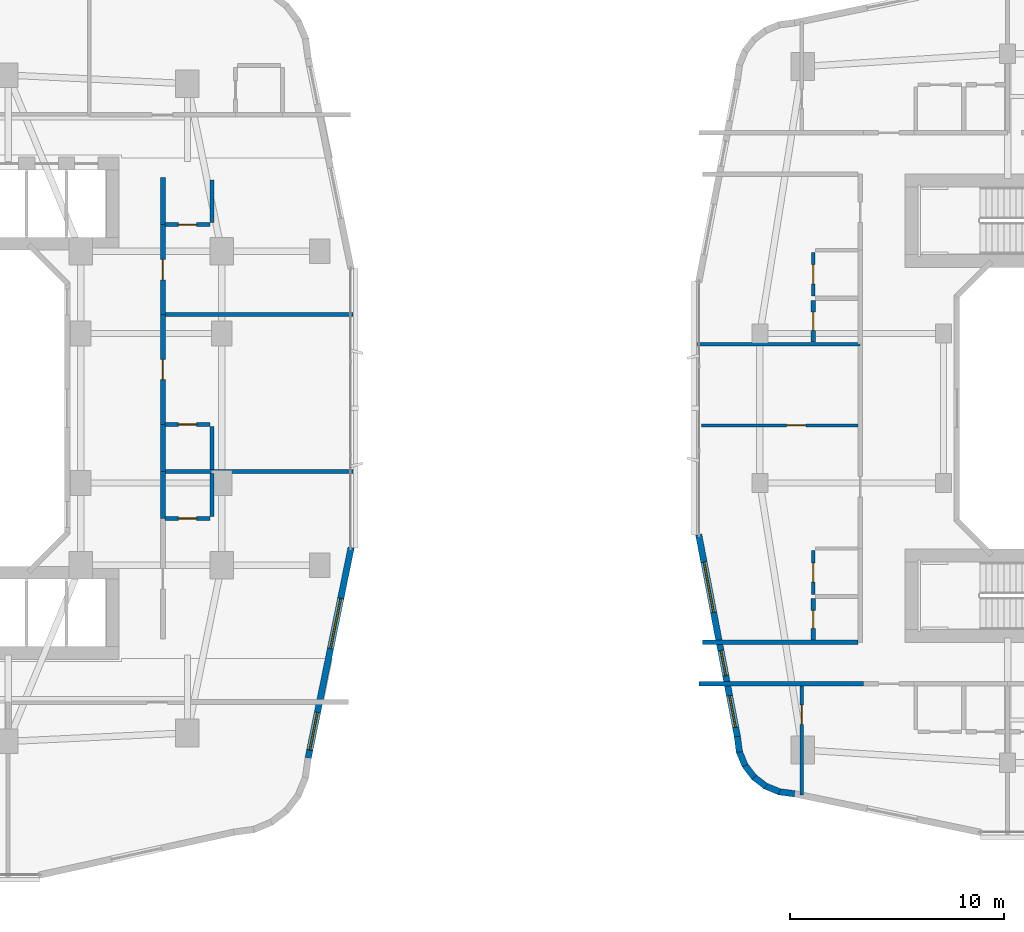
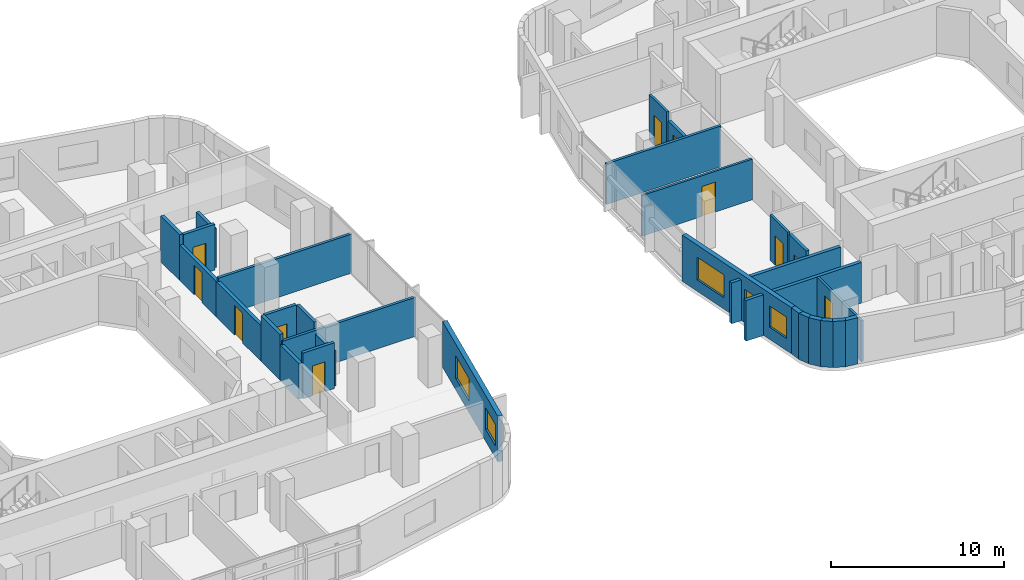
# One storey, part 15 of 26: 30 walls, 11 doors, 5 windows, 16 openings.
"""IFC4 building model written with IfcOpenShell, lengths in metres."""

from ifc_helpers import new_model, si_unit, derived_unit, direction, frame, frame_2d, origin, place, context, subcontext, project, spatial, rectangle, extrude, material, layer, layer_set, type_object, element, fill, save


model = new_model("IFC4")

# Units and contexts
model_context = context("Model", 3, precision=1e-05, world=origin(), true_north=direction((0.0, 1.0)))
body_context = subcontext(model_context, "Body", "Model", "MODEL_VIEW")
ifc_project = project(units=[si_unit("LENGTHUNIT", "METRE"), si_unit("AREAUNIT", "SQUARE_METRE"), si_unit("VOLUMEUNIT", "CUBIC_METRE"), si_unit("PLANEANGLEUNIT", "RADIAN"), si_unit("MASSUNIT", "GRAM", prefix="KILO"), derived_unit("THERMALTRANSMITTANCEUNIT", [(si_unit("POWERUNIT", "WATT"), 1), (si_unit("LENGTHUNIT", "METRE"), -2), (si_unit("THERMODYNAMICTEMPERATUREUNIT", "KELVIN"), -1)])], contexts=[model_context])

# Site, building, storey
site_placement = place(None, origin())
site = spatial("IfcSite", under=ifc_project, at=site_placement, CompositionType="ELEMENT")
building_placement = place(site_placement, origin())
building = spatial("IfcBuilding", under=site, at=building_placement, Name="Kivonza Crest Hotel", CompositionType="ELEMENT")
storey_placement = place(building_placement, frame((0.0, 0.0, 55.5)))
storey = spatial("IfcBuildingStorey", under=building, at=storey_placement, Name="L14", CompositionType="ELEMENT", Elevation=55.5)

# Walls
ifc_material_1 = material(Name="High-density acoustic masonry inter-tenancy wall", Category="masonry")
ifc_layer_1 = layer(ifc_material_1, 0.179931640625)
ifc_layer_set_1 = layer_set([ifc_layer_1], Name="High-density acoustic masonry inter-tenancy wall")
wall_type_1 = type_object("IfcWallType", Name="WL-ACOU-180", PredefinedType="SOLIDWALL", material=ifc_layer_set_1)
for number, where, z_axis, x_axis, name in (
    (1, (33.050048828125, 22.0390625, 0.0), (0.0, 0.0, 1.0), (1.0, 0.0, 0.0), "L14 interior partition WA-L14-T1E-DIV1"),
    (2, (33.050048828125, 29.383056640625, 0.0), (0.0, 0.0, 1.0), (1.0, 0.0, 0.0), "L14 interior partition WA-L14-T1E-DIV2"),
):
    element("IfcWall", number, at=place(storey_placement, frame(where, z_axis=z_axis, x_axis=x_axis)), inside=storey, type_object=wall_type_1, Name=name, PredefinedType="SOLIDWALL", context=body_context, shape_type="SweptSolid", body=[
        extrude(rectangle(XDim=8.889892578125, YDim=0.179931640625, at=frame_2d((4.44482421875, 0.0))), origin(), (0.0, 0.0, 1.0), 2.7451171875),
    ])
wall_1_placement = place(storey_placement, frame((58.06005859375, 28.0, 0.0), z_axis=(0.0, 0.0, 1.0), x_axis=(1.0, 0.0, 0.0)))
element("IfcWall", 3, at=wall_1_placement, inside=storey, type_object=wall_type_1, Name="L14 interior partition WA-L14-T2W-DIV1", PredefinedType="SOLIDWALL", context=body_context, shape_type="SweptSolid", body=[
    extrude(rectangle(XDim=7.639892578125, YDim=0.179931640625, at=frame_2d((3.81982421875, 0.0))), origin(), (0.0, 0.0, 1.0), 2.864990234375),
])
ifc_material_2 = material(Name="Autoclaved aerated concrete blockwork", Category="masonry")
ifc_layer_2 = layer(ifc_material_2, 0.219970703125)
ifc_layer_set_2 = layer_set([ifc_layer_2], Name="Autoclaved aerated concrete blockwork")
wall_type_2 = type_object("IfcWallType", Name="WL-ACOU-220", PredefinedType="SOLIDWALL", material=ifc_layer_set_2)
wall_2_placement = place(storey_placement, frame((33.050048828125, 19.839111328125, 0.0), z_axis=(0.0, 0.0, 1.0), x_axis=(0.0, 1.0, 0.0)))
element("IfcWall", 4, at=wall_2_placement, inside=storey, type_object=wall_type_2, Name="L14 interior partition WA-L14-E06-BCORR", PredefinedType="SOLIDWALL", context=body_context, shape_type="SweptSolid", body=[
    extrude(rectangle(XDim=2.199951171875, YDim=0.219970703125, at=frame_2d((1.10009765625, 0.0))), origin(), (0.0, 0.0, 1.0), 2.4951171875),
])
wall_3_placement = place(storey_placement, frame((33.050048828125, 22.0390625, 0.0), z_axis=(0.0, 0.0, 1.0), x_axis=(0.0, 1.0, 0.0)))
element("IfcWall", 5, at=wall_3_placement, inside=storey, type_object=wall_type_2, Name="L14 interior partition WA-L14-E07-BCORR", PredefinedType="SOLIDWALL", context=body_context, shape_type="SweptSolid", body=[
    extrude(rectangle(XDim=2.199951171875, YDim=0.219970703125, at=frame_2d((1.10009765625, 0.0))), origin(), (0.0, 0.0, 1.0), 3.219970703125),
])

# Wall, opening, door
wall_4_placement = place(storey_placement, frame((33.050048828125, 24.239013671875, 0.0), z_axis=(0.0, 0.0, 1.0), x_axis=(0.0, 1.0, 0.0)))
wall_4 = element("IfcWall", 6, at=wall_4_placement, inside=storey, type_object=wall_type_2, Name="L14 interior partition WA-L14-E07-MCORR", PredefinedType="SOLIDWALL", context=body_context, shape_type="SweptSolid", body=[
    extrude(rectangle(XDim=5.14404296875, YDim=0.219970703125, at=frame_2d((2.572021484375, 0.0))), origin(), (0.0, 0.0, 1.0), 2.4951171875),
])
opening_1_placement = place(wall_4_placement, frame((2.096923828125, 0.0, 0.0)))
opening_1 = element("IfcOpeningElement", 7, at=opening_1_placement, cuts=wall_4, Name="Opening DU-60", PredefinedType="OPENING", context=body_context, shape_type="SweptSolid", body=[
    extrude(rectangle(XDim=0.949951171875, YDim=2.10009765625, at=frame_2d((0.47509765625, 1.050048828125))), frame((0.0, 0.1201171875, 0.0), z_axis=(0.0, -1.0, 0.0), x_axis=(1.0, 0.0, 0.0)), (0.0, 0.0, 1.0), 0.239990234375),
])
ifc_material_3 = material(Name="Hardwood timber oak", Category="wood")
door_type_1 = type_object("IfcDoorType", Name="DR-UNIT-950", OperationType="NOTDEFINED", PredefinedType="DOOR", material=ifc_material_3)
door_1_placement = place(opening_1_placement, frame((0.949951171875, 0.0, 0.0), z_axis=(0.0, 0.0, 1.0), x_axis=(-1.0, 0.0, 0.0)))
door_1 = element("IfcDoor", 8, at=door_1_placement, inside=storey, type_object=door_type_1, Name="L14 E07 guest unit entrance fire door", OperationType="SINGLE_SWING_LEFT", OverallHeight=2.10009765625, OverallWidth=0.949951171875, PredefinedType="DOOR", context=body_context, shape_type="SweptSolid", body=[
    extrude(rectangle(XDim=0.949951171875, YDim=2.10009765625, at=frame_2d((0.47509765625, 1.050048828125))), frame((0.0, 0.02490234375, 0.0), z_axis=(0.0, -1.0, 0.0), x_axis=(1.0, 0.0, 0.0)), (0.0, 0.0, 1.0), 0.050048828125),
])
fill(opening_1, door_1)

# Wall
wall_5_placement = place(storey_placement, frame((33.050048828125, 33.60009765625, 0.0), z_axis=(0.0, 0.0, 1.0), x_axis=(0.0, 1.0, 0.0)))
element("IfcWall", 9, at=wall_5_placement, inside=storey, type_object=wall_type_2, Name="L14 interior partition WA-L14-E08-BCORR", PredefinedType="SOLIDWALL", context=body_context, shape_type="SweptSolid", body=[
    extrude(rectangle(XDim=2.199951171875, YDim=0.219970703125, at=frame_2d((1.10009765625, 0.0))), origin(), (0.0, 0.0, 1.0), 3.219970703125),
])

# Wall, opening, door
wall_6_placement = place(storey_placement, frame((33.050048828125, 29.383056640625, 0.0), z_axis=(0.0, 0.0, 1.0), x_axis=(0.0, 1.0, 0.0)))
wall_6 = element("IfcWall", 10, at=wall_6_placement, inside=storey, type_object=wall_type_2, Name="L14 interior partition WA-L14-E08-MCORR", PredefinedType="SOLIDWALL", context=body_context, shape_type="SweptSolid", body=[
    extrude(rectangle(XDim=4.217041015625, YDim=0.219970703125, at=frame_2d((2.1083984375, 0.0))), origin(), (0.0, 0.0, 1.0), 2.4951171875),
])
opening_2_placement = place(wall_6_placement, frame((1.634033203125, 0.0, 0.0)))
opening_2 = element("IfcOpeningElement", 11, at=opening_2_placement, cuts=wall_6, Name="Opening DU-60", PredefinedType="OPENING", context=body_context, shape_type="SweptSolid", body=[
    extrude(rectangle(XDim=0.949951171875, YDim=2.10009765625, at=frame_2d((0.47509765625, 1.050048828125))), frame((0.0, 0.1201171875, 0.0), z_axis=(0.0, -1.0, 0.0), x_axis=(1.0, 0.0, 0.0)), (0.0, 0.0, 1.0), 0.239990234375),
])
door_2_placement = place(opening_2_placement, frame((0.949951171875, 0.0, 0.0), z_axis=(0.0, 0.0, 1.0), x_axis=(-1.0, 0.0, 0.0)))
door_2 = element("IfcDoor", 12, at=door_2_placement, inside=storey, type_object=door_type_1, Name="L14 E08 guest unit entrance fire door", OperationType="SINGLE_SWING_RIGHT", OverallHeight=2.10009765625, OverallWidth=0.949951171875, PredefinedType="DOOR", context=body_context, shape_type="SweptSolid", body=[
    extrude(rectangle(XDim=0.949951171875, YDim=2.10009765625, at=frame_2d((0.47509765625, 1.050048828125))), frame((0.0, 0.02490234375, 0.0), z_axis=(0.0, -1.0, 0.0), x_axis=(1.0, 0.0, 0.0)), (0.0, 0.0, 1.0), 0.050048828125),
])
fill(opening_2, door_2)

# Walls
wall_7_placement = place(storey_placement, frame((58.159912109375, 12.10009765625, 0.0), z_axis=(0.0, 0.0, 1.0), x_axis=(1.0, 0.0, 0.0)))
element("IfcWall", 13, at=wall_7_placement, inside=storey, type_object=wall_type_2, Name="L14 interior partition WA-L14-A03-LCORR", PredefinedType="SOLIDWALL", context=body_context, shape_type="SweptSolid", body=[
    extrude(rectangle(XDim=7.690185546875, YDim=0.219970703125, at=frame_2d((3.84521484375, 0.0))), origin(), (0.0, 0.0, 1.0), 2.864990234375),
])
wall_8_placement = place(storey_placement, frame((58.320068359375, 14.0400390625, 0.0), z_axis=(0.0, 0.0, 1.0), x_axis=(1.0, 0.0, 0.0)))
element("IfcWall", 14, at=wall_8_placement, inside=storey, type_object=wall_type_2, Name="L14 interior partition WA-L14-T2W-ENDS", PredefinedType="SOLIDWALL", context=body_context, shape_type="SweptSolid", body=[
    extrude(rectangle(XDim=7.280029296875, YDim=0.219970703125, at=frame_2d((3.64013671875, 0.0))), origin(), (0.0, 0.0, 1.0), 2.864990234375),
])

# Wall, openings, windows
ifc_material_4 = material(Name="Precast concrete C40/50", Category="concrete")
ifc_layer_3 = layer(ifc_material_4, 0.300048828125)
ifc_layer_set_3 = layer_set([ifc_layer_3], Name="Precast concrete C40/50")
wall_type_3 = type_object("IfcWallType", Name="WL-EXT-300", PredefinedType="STANDARD", material=ifc_layer_set_3)
wall_9_placement = place(storey_placement, frame((39.85107421875, 8.6220703125, 0.0), z_axis=(0.0, 0.0, 1.0), x_axis=(0.199990901713, 0.979797754249, 0.0)))
wall_9 = element("IfcWall", 15, at=wall_9_placement, inside=storey, type_object=wall_type_3, Name="L14 T1 exterior insulated wall 16", PredefinedType="STANDARD", context=body_context, shape_type="SweptSolid", body=[
    extrude(rectangle(XDim=10.065185546875, YDim=0.300048828125, at=frame_2d((5.03271484375, 0.0))), origin(), (0.0, 0.0, 1.0), 3.219970703125),
])
opening_3_placement = place(wall_9_placement, frame((0.3779296875, 0.0, 0.85009765625)))
opening_3 = element("IfcOpeningElement", 16, at=opening_3_placement, cuts=wall_9, Name="Opening WN-03", PredefinedType="OPENING", context=body_context, shape_type="SweptSolid", body=[
    extrude(rectangle(XDim=1.800048828125, YDim=1.5, at=frame_2d((0.89990234375, 0.75))), frame((0.0, 0.16015625, 0.0), z_axis=(0.0, -1.0, 0.0), x_axis=(1.0, 0.0, 0.0)), (0.0, 0.0, 1.0), 0.320068359375),
])
opening_4_placement = place(wall_9_placement, frame((5.236083984375, 0.0, 0.800048828125)))
opening_4 = element("IfcOpeningElement", 17, at=opening_4_placement, cuts=wall_9, Name="Opening WN-05", PredefinedType="OPENING", context=body_context, shape_type="SweptSolid", body=[
    extrude(rectangle(XDim=2.39990234375, YDim=1.60009765625, at=frame_2d((1.199951171875, 0.800048828125))), frame((0.0, 0.16015625, 0.0), z_axis=(0.0, -1.0, 0.0), x_axis=(1.0, 0.0, 0.0)), (0.0, 0.0, 1.0), 0.320068359375),
])
ifc_material_5 = material(Name="Thermally broken bronze aluminium and low-E double glazing", Category="aluminium")
window_type_1 = type_object("IfcWindowType", Name="WN-180x150", PartitioningType="DOUBLE_PANEL_VERTICAL", PredefinedType="WINDOW", material=ifc_material_5)
window_1_placement = place(opening_3_placement, origin())
window_1 = element("IfcWindow", 18, at=window_1_placement, inside=storey, type_object=window_type_1, Name="L14 T1 facade window 16 bay 1", OverallHeight=1.5, OverallWidth=1.800048828125, PartitioningType="SINGLE_PANEL", PredefinedType="WINDOW", context=body_context, shape_type="SweptSolid", body=[
    extrude(rectangle(XDim=1.800048828125, YDim=1.5, at=frame_2d((0.89990234375, 0.75))), frame((0.0, 0.030029296875, 0.0), z_axis=(0.0, -1.0, 0.0), x_axis=(1.0, 0.0, 0.0)), (0.0, 0.0, 1.0), 0.06005859375),
])
fill(opening_3, window_1)
window_type_2 = type_object("IfcWindowType", Name="WN-240x160", PartitioningType="TRIPLE_PANEL_VERTICAL", PredefinedType="WINDOW", material=ifc_material_5)
window_2_placement = place(opening_4_placement, origin())
window_2 = element("IfcWindow", 19, at=window_2_placement, inside=storey, type_object=window_type_2, Name="L14 T1 facade window 16 bay 2", OverallHeight=1.60009765625, OverallWidth=2.39990234375, PartitioningType="SINGLE_PANEL", PredefinedType="WINDOW", context=body_context, shape_type="SweptSolid", body=[
    extrude(rectangle(XDim=2.39990234375, YDim=1.60009765625, at=frame_2d((1.199951171875, 0.800048828125))), frame((0.0, 0.030029296875, 0.0), z_axis=(0.0, -1.0, 0.0), x_axis=(1.0, 0.0, 0.0)), (0.0, 0.0, 1.0), 0.06005859375),
])
fill(opening_4, window_2)

# Walls
wall_10_placement = place(storey_placement, frame((59.947998046875, 9.626953125, 0.0), z_axis=(0.0, 0.0, 1.0), x_axis=(0.130255288807, -0.991480488834, 0.0)))
element("IfcWall", 20, at=wall_10_placement, inside=storey, type_object=wall_type_3, Name="L14 T2 exterior insulated wall 1", PredefinedType="STANDARD", context=body_context, shape_type="SweptSolid", body=[
    extrude(rectangle(XDim=0.72900390625, YDim=0.300048828125, at=frame_2d((0.364501953125, 0.0))), origin(), (0.0, 0.0, 1.0), 3.25),
])
for number, where, z_axis, x_axis, name in (
    (21, (60.02392578125, 8.955078125, 0.0), (0.0, 0.0, 1.0), (0.383546213491, -0.923521684703, 0.0), "L14 T2 exterior insulated wall 2"),
    (22, (60.279052734375, 8.31103515625, 0.0), (0.0, 0.0, 1.0), (0.608397189915, -0.79363269798, 0.0), "L14 T2 exterior insulated wall 3"),
    (23, (60.69091796875, 7.75390625, 0.0), (0.0, 0.0, 1.0), (0.79363269798, -0.608397189915, 0.0), "L14 T2 exterior insulated wall 4"),
    (24, (61.23388671875, 7.323974609375, 0.0), (0.0, 0.0, 1.0), (0.923685632463, -0.383151213466, 0.0), "L14 T2 exterior insulated wall 5"),
):
    element("IfcWall", number, at=place(storey_placement, frame(where, z_axis=z_axis, x_axis=x_axis)), inside=storey, type_object=wall_type_3, Name=name, PredefinedType="STANDARD", context=body_context, shape_type="SweptSolid", body=[
        extrude(rectangle(XDim=0.74609375, YDim=0.300048828125, at=frame_2d((0.373046875, 0.0))), origin(), (0.0, 0.0, 1.0), 3.25),
    ])
wall_11_placement = place(storey_placement, frame((61.868896484375, 7.047119140625, 0.0), z_axis=(0.0, 0.0, 1.0), x_axis=(0.991559404866, -0.129653178221, 0.0)))
element("IfcWall", 25, at=wall_11_placement, inside=storey, type_object=wall_type_3, Name="L14 T2 exterior insulated wall 6", PredefinedType="STANDARD", context=body_context, shape_type="SweptSolid", body=[
    extrude(rectangle(XDim=0.764404296875, YDim=0.300048828125, at=frame_2d((0.38232421875, 0.0))), origin(), (0.0, 0.0, 1.0), 3.25),
])

# Wall, openings, windows
wall_12_placement = place(storey_placement, frame((58.136962890625, 19.08203125, 0.0), z_axis=(0.0, 0.0, 1.0), x_axis=(0.188087874316, -0.982152203854, 0.0)))
wall_12 = element("IfcWall", 26, at=wall_12_placement, inside=storey, type_object=wall_type_3, Name="L14 T2 exterior insulated wall 36", PredefinedType="STANDARD", context=body_context, shape_type="SweptSolid", body=[
    extrude(rectangle(XDim=9.6337890625, YDim=0.300048828125, at=frame_2d((4.81689453125, 0.0))), origin(), (0.0, 0.0, 1.0), 3.25),
])
opening_5_placement = place(wall_12_placement, frame((1.305908203125, 0.0, 0.800048828125)))
opening_5 = element("IfcOpeningElement", 27, at=opening_5_placement, cuts=wall_12, Name="Opening WN-05", PredefinedType="OPENING", context=body_context, shape_type="SweptSolid", body=[
    extrude(rectangle(XDim=2.39990234375, YDim=1.60009765625, at=frame_2d((1.199951171875, 0.800048828125))), frame((0.0, 0.16015625, 0.0), z_axis=(0.0, -1.0, 0.0), x_axis=(1.0, 0.0, 0.0)), (0.0, 0.0, 1.0), 0.320068359375),
])
opening_6_placement = place(wall_12_placement, frame((5.52099609375, 0.0, 0.85009765625)))
opening_6 = element("IfcOpeningElement", 28, at=opening_6_placement, cuts=wall_12, Name="Opening WN-01", PredefinedType="OPENING", context=body_context, shape_type="SweptSolid", body=[
    extrude(rectangle(XDim=1.199951171875, YDim=1.5, at=frame_2d((0.60009765625, 0.75))), frame((0.0, 0.16015625, 0.0), z_axis=(0.0, -1.0, 0.0), x_axis=(1.0, 0.0, 0.0)), (0.0, 0.0, 1.0), 0.320068359375),
])
opening_7_placement = place(wall_12_placement, frame((7.681884765625, 0.0, 0.85009765625)))
opening_7 = element("IfcOpeningElement", 29, at=opening_7_placement, cuts=wall_12, Name="Opening WN-02", PredefinedType="OPENING", context=body_context, shape_type="SweptSolid", body=[
    extrude(rectangle(XDim=1.5, YDim=1.5, at=frame_2d((0.75, 0.75))), frame((0.0, 0.16015625, 0.0), z_axis=(0.0, -1.0, 0.0), x_axis=(1.0, 0.0, 0.0)), (0.0, 0.0, 1.0), 0.320068359375),
])
window_type_3 = type_object("IfcWindowType", Name="WN-120x150", PartitioningType="SINGLE_PANEL", PredefinedType="WINDOW", material=ifc_material_5)
window_3_placement = place(opening_6_placement, origin())
window_3 = element("IfcWindow", 30, at=window_3_placement, inside=storey, type_object=window_type_3, Name="L14 T2 facade window 36 bay 2", OverallHeight=1.5, OverallWidth=1.199951171875, PartitioningType="SINGLE_PANEL", PredefinedType="WINDOW", context=body_context, shape_type="SweptSolid", body=[
    extrude(rectangle(XDim=1.199951171875, YDim=1.5, at=frame_2d((0.60009765625, 0.75))), frame((0.0, 0.030029296875, 0.0), z_axis=(0.0, -1.0, 0.0), x_axis=(1.0, 0.0, 0.0)), (0.0, 0.0, 1.0), 0.06005859375),
])
fill(opening_6, window_3)
window_type_4 = type_object("IfcWindowType", Name="WN-150x150", PartitioningType="DOUBLE_PANEL_VERTICAL", PredefinedType="WINDOW", material=ifc_material_5)
window_4_placement = place(opening_7_placement, origin())
window_4 = element("IfcWindow", 31, at=window_4_placement, inside=storey, type_object=window_type_4, Name="L14 T2 facade window 36 bay 3", OverallHeight=1.5, OverallWidth=1.5, PartitioningType="SINGLE_PANEL", PredefinedType="WINDOW", context=body_context, shape_type="SweptSolid", body=[
    extrude(rectangle(XDim=1.5, YDim=1.5, at=frame_2d((0.75, 0.75))), frame((0.0, 0.030029296875, 0.0), z_axis=(0.0, -1.0, 0.0), x_axis=(1.0, 0.0, 0.0)), (0.0, 0.0, 1.0), 0.06005859375),
])
fill(opening_7, window_4)
window_5_placement = place(opening_5_placement, origin())
window_5 = element("IfcWindow", 32, at=window_5_placement, inside=storey, type_object=window_type_2, Name="L14 T2 facade window 36 bay 1", OverallHeight=1.60009765625, OverallWidth=2.39990234375, PartitioningType="SINGLE_PANEL", PredefinedType="WINDOW", context=body_context, shape_type="SweptSolid", body=[
    extrude(rectangle(XDim=2.39990234375, YDim=1.60009765625, at=frame_2d((1.199951171875, 0.800048828125))), frame((0.0, 0.030029296875, 0.0), z_axis=(0.0, -1.0, 0.0), x_axis=(1.0, 0.0, 0.0)), (0.0, 0.0, 1.0), 0.06005859375),
])
fill(opening_5, window_5)

# Wall, opening, door
ifc_material_6 = material(Name="Twin-stud acoustic gypsum board partition", Category="gypsum")
ifc_layer_4 = layer(ifc_material_6, 0.14990234375)
ifc_layer_set_4 = layer_set([ifc_layer_4], Name="Twin-stud acoustic gypsum board partition")
wall_type_4 = type_object("IfcWallType", Name="WL-PART-150", PredefinedType="PARTITIONING", material=ifc_layer_set_4)
wall_13_placement = place(storey_placement, frame((62.9599609375, 6.886962890625, 0.0), z_axis=(0.0, 0.0, 1.0), x_axis=(0.0, 1.0, 0.0)))
wall_13 = element("IfcWall", 33, at=wall_13_placement, inside=storey, type_object=wall_type_4, Name="L14 interior partition WP-L14-A03-BDW1", PredefinedType="PARTITIONING", context=body_context, shape_type="SweptSolid", body=[
    extrude(rectangle(XDim=5.113037109375, YDim=0.14990234375, at=frame_2d((2.556640625, 0.0))), origin(), (0.0, 0.0, 1.0), 2.864990234375),
])
opening_8_placement = place(wall_13_placement, frame((3.31005859375, 0.0, 0.0)))
opening_8 = element("IfcOpeningElement", 34, at=opening_8_placement, cuts=wall_13, Name="Opening DI-90", PredefinedType="OPENING", context=body_context, shape_type="SweptSolid", body=[
    extrude(rectangle(XDim=0.89990234375, YDim=2.10009765625, at=frame_2d((0.449951171875, 1.050048828125))), frame((0.0, 0.0849609375, 0.0), z_axis=(0.0, -1.0, 0.0), x_axis=(1.0, 0.0, 0.0)), (0.0, 0.0, 1.0), 0.169921875),
])
door_type_2 = type_object("IfcDoorType", Name="DR-INT-900", OperationType="NOTDEFINED", PredefinedType="DOOR", material=ifc_material_3)
door_3_placement = place(opening_8_placement, origin())
door_3 = element("IfcDoor", 35, at=door_3_placement, inside=storey, type_object=door_type_2, Name="L14 A03 bedroom 1 door", OperationType="SINGLE_SWING_RIGHT", OverallHeight=2.10009765625, OverallWidth=0.89990234375, PredefinedType="DOOR", context=body_context, shape_type="SweptSolid", body=[
    extrude(rectangle(XDim=0.89990234375, YDim=2.10009765625, at=frame_2d((0.449951171875, 1.050048828125))), frame((0.0, 0.02490234375, 0.0), z_axis=(0.0, -1.0, 0.0), x_axis=(1.0, 0.0, 0.0)), (0.0, 0.0, 1.0), 0.050048828125),
])
fill(opening_8, door_3)

wall_14_placement = place(storey_placement, frame((58.260009765625, 24.199951171875, 0.0), z_axis=(0.0, 0.0, 1.0), x_axis=(1.0, 0.0, 0.0)))
wall_14 = element("IfcWall", 36, at=wall_14_placement, inside=storey, type_object=wall_type_4, Name="L14 interior partition WP-L14-A06-BD1", PredefinedType="PARTITIONING", context=body_context, shape_type="SweptSolid", body=[
    extrude(rectangle(XDim=7.340087890625, YDim=0.14990234375, at=frame_2d((3.669921875, 0.0))), origin(), (0.0, 0.0, 1.0), 2.864990234375),
])
opening_9_placement = place(wall_14_placement, frame((3.989990234375, 0.0, 0.0)))
opening_9 = element("IfcOpeningElement", 37, at=opening_9_placement, cuts=wall_14, Name="Opening DI-90", PredefinedType="OPENING", context=body_context, shape_type="SweptSolid", body=[
    extrude(rectangle(XDim=0.89990234375, YDim=2.10009765625, at=frame_2d((0.449951171875, 1.050048828125))), frame((0.0, 0.0849609375, 0.0), z_axis=(0.0, -1.0, 0.0), x_axis=(1.0, 0.0, 0.0)), (0.0, 0.0, 1.0), 0.169921875),
])
door_4_placement = place(opening_9_placement, origin())
door_4 = element("IfcDoor", 38, at=door_4_placement, inside=storey, type_object=door_type_2, Name="L14 A06 bedroom door", OperationType="SINGLE_SWING_LEFT", OverallHeight=2.10009765625, OverallWidth=0.89990234375, PredefinedType="DOOR", context=body_context, shape_type="SweptSolid", body=[
    extrude(rectangle(XDim=0.89990234375, YDim=2.10009765625, at=frame_2d((0.449951171875, 1.050048828125))), frame((0.0, 0.02490234375, 0.0), z_axis=(0.0, -1.0, 0.0), x_axis=(1.0, 0.0, 0.0)), (0.0, 0.0, 1.0), 0.050048828125),
])
fill(opening_9, door_4)

wall_15_placement = place(storey_placement, frame((63.5, 16.2900390625, 0.0), z_axis=(0.0, 0.0, 1.0), x_axis=(0.0, 1.0, 0.0)))
wall_15 = element("IfcWall", 39, at=wall_15_placement, inside=storey, type_object=wall_type_4, Name="L14 interior partition WP-L14-A06-KSVC", PredefinedType="PARTITIONING", context=body_context, shape_type="SweptSolid", body=[
    extrude(rectangle(XDim=2.050048828125, YDim=0.14990234375, at=frame_2d((1.02490234375, 0.0))), origin(), (0.0, 0.0, 1.0), 3.219970703125),
])
opening_10_placement = place(wall_15_placement, frame((0.574951171875, 0.0, 0.0)))
opening_10 = element("IfcOpeningElement", 40, at=opening_10_placement, cuts=wall_15, Name="Opening DI-90", PredefinedType="OPENING", context=body_context, shape_type="SweptSolid", body=[
    extrude(rectangle(XDim=0.89990234375, YDim=2.10009765625, at=frame_2d((0.449951171875, 1.050048828125))), frame((0.0, 0.0849609375, 0.0), z_axis=(0.0, -1.0, 0.0), x_axis=(1.0, 0.0, 0.0)), (0.0, 0.0, 1.0), 0.169921875),
])
door_5_placement = place(opening_10_placement, origin())
door_5 = element("IfcDoor", 41, at=door_5_placement, inside=storey, type_object=door_type_2, Name="L14 A06 apartment kitchen door", OperationType="SINGLE_SWING_RIGHT", OverallHeight=2.10009765625, OverallWidth=0.89990234375, PredefinedType="DOOR", context=body_context, shape_type="SweptSolid", body=[
    extrude(rectangle(XDim=0.89990234375, YDim=2.10009765625, at=frame_2d((0.449951171875, 1.050048828125))), frame((0.0, 0.02490234375, 0.0), z_axis=(0.0, -1.0, 0.0), x_axis=(1.0, 0.0, 0.0)), (0.0, 0.0, 1.0), 0.050048828125),
])
fill(opening_10, door_5)

wall_16_placement = place(storey_placement, frame((63.5, 30.25, 0.0), z_axis=(0.0, 0.0, 1.0), x_axis=(0.0, 1.0, 0.0)))
wall_16 = element("IfcWall", 42, at=wall_16_placement, inside=storey, type_object=wall_type_4, Name="L14 interior partition WP-L14-A07-KSVC", PredefinedType="PARTITIONING", context=body_context, shape_type="SweptSolid", body=[
    extrude(rectangle(XDim=2.050048828125, YDim=0.14990234375, at=frame_2d((1.02490234375, 0.0))), origin(), (0.0, 0.0, 1.0), 3.219970703125),
])
opening_11_placement = place(wall_16_placement, frame((0.574951171875, 0.0, 0.0)))
opening_11 = element("IfcOpeningElement", 43, at=opening_11_placement, cuts=wall_16, Name="Opening DI-90", PredefinedType="OPENING", context=body_context, shape_type="SweptSolid", body=[
    extrude(rectangle(XDim=0.89990234375, YDim=2.10009765625, at=frame_2d((0.449951171875, 1.050048828125))), frame((0.0, 0.0849609375, 0.0), z_axis=(0.0, -1.0, 0.0), x_axis=(1.0, 0.0, 0.0)), (0.0, 0.0, 1.0), 0.169921875),
])
door_6_placement = place(opening_11_placement, origin())
door_6 = element("IfcDoor", 44, at=door_6_placement, inside=storey, type_object=door_type_2, Name="L14 A07 apartment kitchen door", OperationType="SINGLE_SWING_LEFT", OverallHeight=2.10009765625, OverallWidth=0.89990234375, PredefinedType="DOOR", context=body_context, shape_type="SweptSolid", body=[
    extrude(rectangle(XDim=0.89990234375, YDim=2.10009765625, at=frame_2d((0.449951171875, 1.050048828125))), frame((0.0, 0.02490234375, 0.0), z_axis=(0.0, -1.0, 0.0), x_axis=(1.0, 0.0, 0.0)), (0.0, 0.0, 1.0), 0.050048828125),
])
fill(opening_11, door_6)

ifc_material_7 = material(Name="Moisture-resistant plumbing chase partition wall", Category="gypsum")
ifc_layer_5 = layer(ifc_material_7, 0.199951171875)
ifc_layer_set_5 = layer_set([ifc_layer_5], Name="Moisture-resistant plumbing chase partition wall")
wall_type_5 = type_object("IfcWallType", Name="WL-PLUMB-200", PredefinedType="PLUMBINGWALL", material=ifc_layer_set_5)
wall_17_placement = place(storey_placement, frame((33.14990234375, 19.839111328125, 0.0), z_axis=(0.0, 0.0, 1.0), x_axis=(1.0, 0.0, 0.0)))
wall_17 = element("IfcWall", 45, at=wall_17_placement, inside=storey, type_object=wall_type_5, Name="L14 interior partition WW-L14-E06-BH", PredefinedType="PLUMBINGWALL", context=body_context, shape_type="SweptSolid", body=[
    extrude(rectangle(XDim=2.10009765625, YDim=0.199951171875, at=frame_2d((1.050048828125, 0.0))), origin(), (0.0, 0.0, 1.0), 3.219970703125),
])
opening_12_placement = place(wall_17_placement, frame((0.625, 0.0, 0.0)))
opening_12 = element("IfcOpeningElement", 46, at=opening_12_placement, cuts=wall_17, Name="Opening DI-85", PredefinedType="OPENING", context=body_context, shape_type="SweptSolid", body=[
    extrude(rectangle(XDim=0.85009765625, YDim=2.10009765625, at=frame_2d((0.425048828125, 1.050048828125))), frame((0.0, 0.10986328125, 0.0), z_axis=(0.0, -1.0, 0.0), x_axis=(1.0, 0.0, 0.0)), (0.0, 0.0, 1.0), 0.219970703125),
])
door_type_3 = type_object("IfcDoorType", Name="DR-INT-850", OperationType="NOTDEFINED", PredefinedType="DOOR", material=ifc_material_3)
door_7_placement = place(opening_12_placement, frame((0.85009765625, 0.0, 0.0), z_axis=(0.0, 0.0, 1.0), x_axis=(-1.0, 0.0, 0.0)))
door_7 = element("IfcDoor", 47, at=door_7_placement, inside=storey, type_object=door_type_3, Name="L14 E06 en-suite bathroom door", OperationType="SINGLE_SWING_LEFT", OverallHeight=2.10009765625, OverallWidth=0.85009765625, PredefinedType="DOOR", context=body_context, shape_type="SweptSolid", body=[
    extrude(rectangle(XDim=0.85009765625, YDim=2.10009765625, at=frame_2d((0.425048828125, 1.050048828125))), frame((0.0, 0.02490234375, 0.0), z_axis=(0.0, -1.0, 0.0), x_axis=(1.0, 0.0, 0.0)), (0.0, 0.0, 1.0), 0.050048828125),
])
fill(opening_12, door_7)

# Wall
wall_18_placement = place(storey_placement, frame((35.35009765625, 19.93896484375, 0.0), z_axis=(0.0, 0.0, 1.0), x_axis=(0.0, 1.0, 0.0)))
element("IfcWall", 48, at=wall_18_placement, inside=storey, type_object=wall_type_5, Name="L14 interior partition WW-L14-E06-BV", PredefinedType="PLUMBINGWALL", context=body_context, shape_type="SweptSolid", body=[
    extrude(rectangle(XDim=2.0, YDim=0.199951171875, at=frame_2d((1.0, 0.0))), origin(), (0.0, 0.0, 1.0), 2.4951171875),
])

# Wall, opening, door
wall_19_placement = place(storey_placement, frame((33.14990234375, 24.239013671875, 0.0), z_axis=(0.0, 0.0, 1.0), x_axis=(1.0, 0.0, 0.0)))
wall_19 = element("IfcWall", 49, at=wall_19_placement, inside=storey, type_object=wall_type_5, Name="L14 interior partition WW-L14-E07-BH", PredefinedType="PLUMBINGWALL", context=body_context, shape_type="SweptSolid", body=[
    extrude(rectangle(XDim=2.10009765625, YDim=0.199951171875, at=frame_2d((1.050048828125, 0.0))), origin(), (0.0, 0.0, 1.0), 3.219970703125),
])
opening_13_placement = place(wall_19_placement, frame((0.625, 0.0, 0.0)))
opening_13 = element("IfcOpeningElement", 50, at=opening_13_placement, cuts=wall_19, Name="Opening DI-85", PredefinedType="OPENING", context=body_context, shape_type="SweptSolid", body=[
    extrude(rectangle(XDim=0.85009765625, YDim=2.10009765625, at=frame_2d((0.425048828125, 1.050048828125))), frame((0.0, 0.10986328125, 0.0), z_axis=(0.0, -1.0, 0.0), x_axis=(1.0, 0.0, 0.0)), (0.0, 0.0, 1.0), 0.219970703125),
])
door_8_placement = place(opening_13_placement, origin())
door_8 = element("IfcDoor", 51, at=door_8_placement, inside=storey, type_object=door_type_3, Name="L14 E07 en-suite bathroom door", OperationType="SINGLE_SWING_RIGHT", OverallHeight=2.10009765625, OverallWidth=0.85009765625, PredefinedType="DOOR", context=body_context, shape_type="SweptSolid", body=[
    extrude(rectangle(XDim=0.85009765625, YDim=2.10009765625, at=frame_2d((0.425048828125, 1.050048828125))), frame((0.0, 0.02490234375, 0.0), z_axis=(0.0, -1.0, 0.0), x_axis=(1.0, 0.0, 0.0)), (0.0, 0.0, 1.0), 0.050048828125),
])
fill(opening_13, door_8)

# Wall
wall_20_placement = place(storey_placement, frame((35.35009765625, 22.138916015625, 0.0), z_axis=(0.0, 0.0, 1.0), x_axis=(0.0, 1.0, 0.0)))
element("IfcWall", 52, at=wall_20_placement, inside=storey, type_object=wall_type_5, Name="L14 interior partition WW-L14-E07-BV", PredefinedType="PLUMBINGWALL", context=body_context, shape_type="SweptSolid", body=[
    extrude(rectangle(XDim=2.0, YDim=0.199951171875, at=frame_2d((1.0, 0.0))), origin(), (0.0, 0.0, 1.0), 3.219970703125),
])

# Wall, opening, door
wall_21_placement = place(storey_placement, frame((33.14990234375, 33.60009765625, 0.0), z_axis=(0.0, 0.0, 1.0), x_axis=(1.0, 0.0, 0.0)))
wall_21 = element("IfcWall", 53, at=wall_21_placement, inside=storey, type_object=wall_type_5, Name="L14 interior partition WW-L14-E08-BH", PredefinedType="PLUMBINGWALL", context=body_context, shape_type="SweptSolid", body=[
    extrude(rectangle(XDim=2.10009765625, YDim=0.199951171875, at=frame_2d((1.050048828125, 0.0))), origin(), (0.0, 0.0, 1.0), 3.219970703125),
])
opening_14_placement = place(wall_21_placement, frame((0.625, 0.0, 0.0)))
opening_14 = element("IfcOpeningElement", 54, at=opening_14_placement, cuts=wall_21, Name="Opening DI-85", PredefinedType="OPENING", context=body_context, shape_type="SweptSolid", body=[
    extrude(rectangle(XDim=0.85009765625, YDim=2.10009765625, at=frame_2d((0.425048828125, 1.050048828125))), frame((0.0, 0.10986328125, 0.0), z_axis=(0.0, -1.0, 0.0), x_axis=(1.0, 0.0, 0.0)), (0.0, 0.0, 1.0), 0.219970703125),
])
door_9_placement = place(opening_14_placement, frame((0.85009765625, 0.0, 0.0), z_axis=(0.0, 0.0, 1.0), x_axis=(-1.0, 0.0, 0.0)))
door_9 = element("IfcDoor", 55, at=door_9_placement, inside=storey, type_object=door_type_3, Name="L14 E08 en-suite bathroom door", OperationType="SINGLE_SWING_LEFT", OverallHeight=2.10009765625, OverallWidth=0.85009765625, PredefinedType="DOOR", context=body_context, shape_type="SweptSolid", body=[
    extrude(rectangle(XDim=0.85009765625, YDim=2.10009765625, at=frame_2d((0.425048828125, 1.050048828125))), frame((0.0, 0.02490234375, 0.0), z_axis=(0.0, -1.0, 0.0), x_axis=(1.0, 0.0, 0.0)), (0.0, 0.0, 1.0), 0.050048828125),
])
fill(opening_14, door_9)

# Wall
wall_22_placement = place(storey_placement, frame((35.35009765625, 33.699951171875, 0.0), z_axis=(0.0, 0.0, 1.0), x_axis=(0.0, 1.0, 0.0)))
element("IfcWall", 56, at=wall_22_placement, inside=storey, type_object=wall_type_5, Name="L14 interior partition WW-L14-E08-BV", PredefinedType="PLUMBINGWALL", context=body_context, shape_type="SweptSolid", body=[
    extrude(rectangle(XDim=2.0, YDim=0.199951171875, at=frame_2d((1.0, 0.0))), origin(), (0.0, 0.0, 1.0), 2.7451171875),
])

# Wall, opening, door
wall_23_placement = place(storey_placement, frame((63.5, 14.139892578125, 0.0), z_axis=(0.0, 0.0, 1.0), x_axis=(0.0, 1.0, 0.0)))
wall_23 = element("IfcWall", 57, at=wall_23_placement, inside=storey, type_object=wall_type_5, Name="L14 interior partition WW-L14-A06-BSVC", PredefinedType="PLUMBINGWALL", context=body_context, shape_type="SweptSolid", body=[
    extrude(rectangle(XDim=1.9501953125, YDim=0.199951171875, at=frame_2d((0.97509765625, 0.0))), origin(), (0.0, 0.0, 1.0), 3.219970703125),
])
opening_15_placement = place(wall_23_placement, frame((0.550048828125, 0.0, 0.0)))
opening_15 = element("IfcOpeningElement", 58, at=opening_15_placement, cuts=wall_23, Name="Opening DI-85", PredefinedType="OPENING", context=body_context, shape_type="SweptSolid", body=[
    extrude(rectangle(XDim=0.85009765625, YDim=2.10009765625, at=frame_2d((0.425048828125, 1.050048828125))), frame((0.0, 0.10986328125, 0.0), z_axis=(0.0, -1.0, 0.0), x_axis=(1.0, 0.0, 0.0)), (0.0, 0.0, 1.0), 0.219970703125),
])
door_10_placement = place(opening_15_placement, origin())
door_10 = element("IfcDoor", 59, at=door_10_placement, inside=storey, type_object=door_type_3, Name="L14 A06 apartment bathroom door", OperationType="SINGLE_SWING_LEFT", OverallHeight=2.10009765625, OverallWidth=0.85009765625, PredefinedType="DOOR", context=body_context, shape_type="SweptSolid", body=[
    extrude(rectangle(XDim=0.85009765625, YDim=2.10009765625, at=frame_2d((0.425048828125, 1.050048828125))), frame((0.0, 0.02490234375, 0.0), z_axis=(0.0, -1.0, 0.0), x_axis=(1.0, 0.0, 0.0)), (0.0, 0.0, 1.0), 0.050048828125),
])
fill(opening_15, door_10)

wall_24_placement = place(storey_placement, frame((63.5, 28.10009765625, 0.0), z_axis=(0.0, 0.0, 1.0), x_axis=(0.0, 1.0, 0.0)))
wall_24 = element("IfcWall", 60, at=wall_24_placement, inside=storey, type_object=wall_type_5, Name="L14 interior partition WW-L14-A07-BSVC", PredefinedType="PLUMBINGWALL", context=body_context, shape_type="SweptSolid", body=[
    extrude(rectangle(XDim=1.949951171875, YDim=0.199951171875, at=frame_2d((0.97509765625, 0.0))), origin(), (0.0, 0.0, 1.0), 2.72509765625),
])
opening_16_placement = place(wall_24_placement, frame((0.550048828125, 0.0, 0.0)))
opening_16 = element("IfcOpeningElement", 61, at=opening_16_placement, cuts=wall_24, Name="Opening DI-85", PredefinedType="OPENING", context=body_context, shape_type="SweptSolid", body=[
    extrude(rectangle(XDim=0.85009765625, YDim=2.10009765625, at=frame_2d((0.425048828125, 1.050048828125))), frame((0.0, 0.10986328125, 0.0), z_axis=(0.0, -1.0, 0.0), x_axis=(1.0, 0.0, 0.0)), (0.0, 0.0, 1.0), 0.219970703125),
])
door_11_placement = place(opening_16_placement, origin())
door_11 = element("IfcDoor", 62, at=door_11_placement, inside=storey, type_object=door_type_3, Name="L14 A07 apartment bathroom door", OperationType="SINGLE_SWING_RIGHT", OverallHeight=2.10009765625, OverallWidth=0.85009765625, PredefinedType="DOOR", context=body_context, shape_type="SweptSolid", body=[
    extrude(rectangle(XDim=0.85009765625, YDim=2.10009765625, at=frame_2d((0.425048828125, 1.050048828125))), frame((0.0, 0.02490234375, 0.0), z_axis=(0.0, -1.0, 0.0), x_axis=(1.0, 0.0, 0.0)), (0.0, 0.0, 1.0), 0.050048828125),
])
fill(opening_16, door_11)

save(model, "model.ifc")
